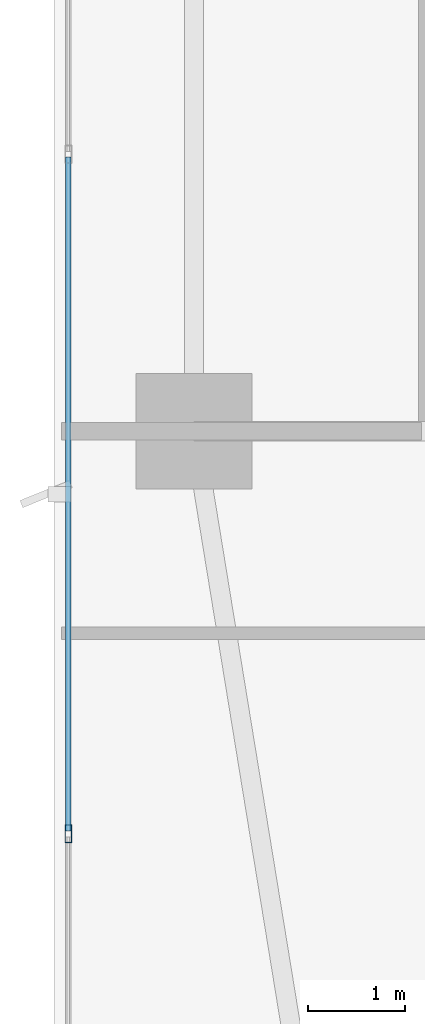
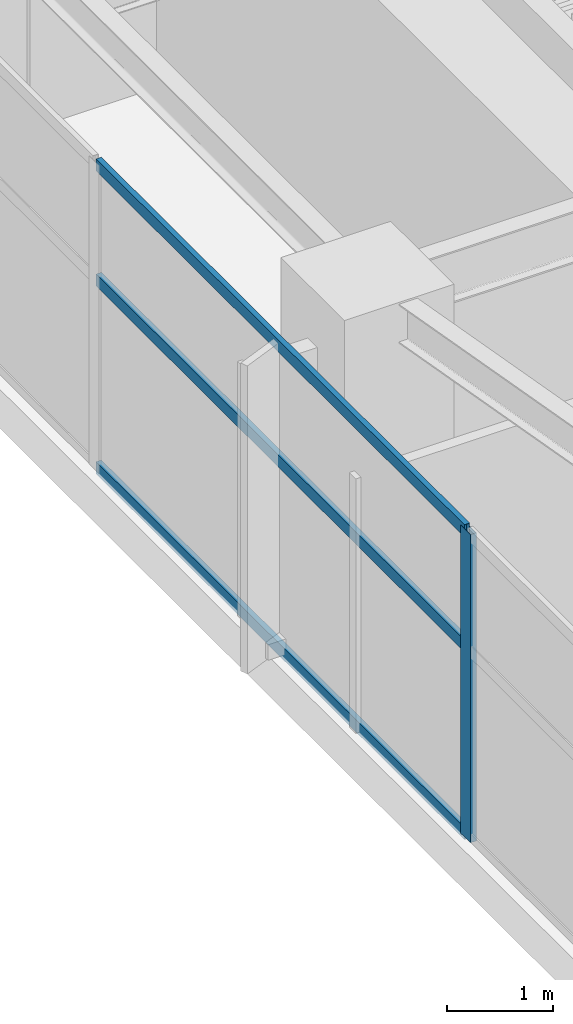
# One storey, part 4 of 30: 4 members, 1 element without a shape of its own.
"""IFC4 building model written with IfcOpenShell, lengths in metres."""

from ifc_helpers import new_model, si_unit, direction, frame, origin, origin_2d, place, context, subcontext, project, spatial, hollow_rectangle, extrude, material, layer, layer_set, material_profile, profile_set, type_object, element, aggregate, save


model = new_model("IFC4")

# Units and contexts
model_context = context("Model", 3, precision=1e-05, world=origin(), true_north=direction((0.0, 1.0)))
body_context = subcontext(model_context, "Body", "Model", "MODEL_VIEW")
ifc_project = project(units=[si_unit("LENGTHUNIT", "METRE"), si_unit("AREAUNIT", "SQUARE_METRE"), si_unit("VOLUMEUNIT", "CUBIC_METRE"), si_unit("PLANEANGLEUNIT", "RADIAN"), si_unit("MASSUNIT", "GRAM", prefix="KILO")], contexts=[model_context])

# Site, building, storey
site_placement = place(None, origin())
site = spatial("IfcSite", under=ifc_project, at=site_placement, CompositionType="ELEMENT")
building_placement = place(site_placement, origin())
building = spatial("IfcBuilding", under=site, at=building_placement, Name="Calvorn Quay Hotel", CompositionType="ELEMENT")
storey_placement = place(building_placement, frame((0.0, 0.0, 191.300048828125)))
storey = spatial("IfcBuildingStorey", under=building, at=storey_placement, Name="L47", CompositionType="ELEMENT", Elevation=191.300048828125)

# Curtain wall, members
ifc_material_1 = material(Name="Champagne Bronze Anodised Aluminium and Low-E Glass", Category="aluminium")
ifc_layer = layer(ifc_material_1, 0.219970703125)
ifc_layer_set = layer_set([ifc_layer], Name="CW-SYS-Z3")
curtain_wall_type = type_object("IfcCurtainWallType", Name="CW-SYS-Z3", PredefinedType="NOTDEFINED", material=ifc_layer_set)
curtain_wall_placement = place(storey_placement, origin())
curtain_wall = element("IfcCurtainWall", 1, at=curtain_wall_placement, inside=storey, type_object=curtain_wall_type, Name="Tower West Curtain Wall (L47)", PredefinedType="NOTDEFINED")
ifc_material_2 = material(Name="Champagne Bronze Anodised Aluminium 6063-T6", Category="aluminium")
ifc_material_profile_1 = material_profile(ifc_material_2, hollow_rectangle(XDim=0.068115234375, YDim=0.18505859375, WallThickness=0.00390625, at=origin_2d()), Name="ALU-M185x68x4")
ifc_profile_set_1 = profile_set([ifc_material_profile_1], Name="Champagne Bronze Anodised Aluminium 6063-T6")
member_type_1 = type_object("IfcMemberType", Name="CW-SYS-Z3-MUL", PredefinedType="MULLION", material=ifc_profile_set_1)
member_1_placement = place(storey_placement, frame((0.14990234375, 12.63330078125, 0.0), z_axis=(0.0, 0.0, 1.0), x_axis=(-1.0, 0.0, 0.0)))
member_1 = element("IfcMember", 2, at=member_1_placement, type_object=member_type_1, Name="CW-L47-W mullion 2", PredefinedType="MULLION", context=body_context, shape_type="SweptSolid", body=[
    extrude(hollow_rectangle(XDim=0.068115234375, YDim=0.18505859375, WallThickness=0.00390625, at=origin_2d()), origin(), (0.0, 0.0, 1.0), 3.56005859375),
])
ifc_material_3 = material(Name="Champagne Bronze Anodised Aluminium 6063-T6", Category="aluminium")
ifc_material_profile_2 = material_profile(ifc_material_3, hollow_rectangle(XDim=0.05810546875, YDim=0.139892578125, WallThickness=0.003173828125, at=origin_2d()), Name="ALU-T140x58x3.2")
ifc_profile_set_2 = profile_set([ifc_material_profile_2], Name="Champagne Bronze Anodised Aluminium 6063-T6")
member_type_2 = type_object("IfcMemberType", Name="CW-SYS-Z3-TRN", PredefinedType="USERDEFINED", material=ifc_profile_set_2)
member_2_placement = place(storey_placement, frame((0.14990234375, 12.663330078125, 0.030029296875), z_axis=(0.0, 1.0, 0.0), x_axis=(-1.0, 0.0, 0.0)))
member_2 = element("IfcMember", 3, at=member_2_placement, type_object=member_type_2, Name="CW-L47-W transom 2.1", ObjectType="TRANSOM", PredefinedType="USERDEFINED", context=body_context, shape_type="SweptSolid", body=[
    extrude(hollow_rectangle(XDim=0.05810546875, YDim=0.139892578125, WallThickness=0.003173828125, at=origin_2d()), origin(), (0.0, 0.0, 1.0), 6.973388671875),
])
member_3_placement = place(storey_placement, frame((0.14990234375, 12.663330078125, 2.199951171875), z_axis=(0.0, 1.0, 0.0), x_axis=(-1.0, 0.0, 0.0)))
member_3 = element("IfcMember", 4, at=member_3_placement, type_object=member_type_2, Name="CW-L47-W transom 2.2", ObjectType="TRANSOM", PredefinedType="USERDEFINED", context=body_context, shape_type="SweptSolid", body=[
    extrude(hollow_rectangle(XDim=0.05810546875, YDim=0.139892578125, WallThickness=0.003173828125, at=origin_2d()), origin(), (0.0, 0.0, 1.0), 6.973388671875),
])
member_4_placement = place(storey_placement, frame((0.14990234375, 12.663330078125, 3.530029296875), z_axis=(0.0, 1.0, 0.0), x_axis=(-1.0, 0.0, 0.0)))
member_4 = element("IfcMember", 5, at=member_4_placement, type_object=member_type_2, Name="CW-L47-W transom 2.3", ObjectType="TRANSOM", PredefinedType="USERDEFINED", context=body_context, shape_type="SweptSolid", body=[
    extrude(hollow_rectangle(XDim=0.05810546875, YDim=0.139892578125, WallThickness=0.003173828125, at=origin_2d()), origin(), (0.0, 0.0, 1.0), 6.973388671875),
])
aggregate(curtain_wall, [member_1, member_2, member_3, member_4])

save(model, "model.ifc")
